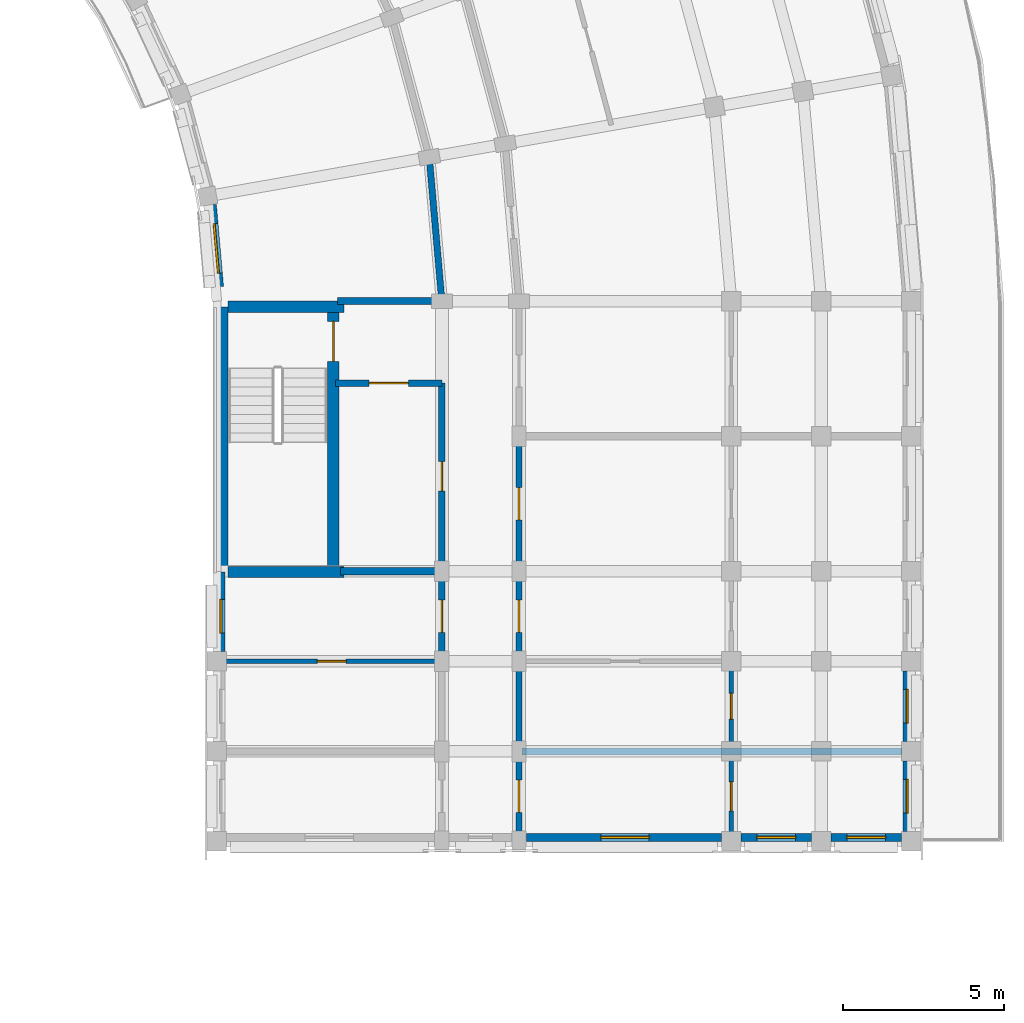
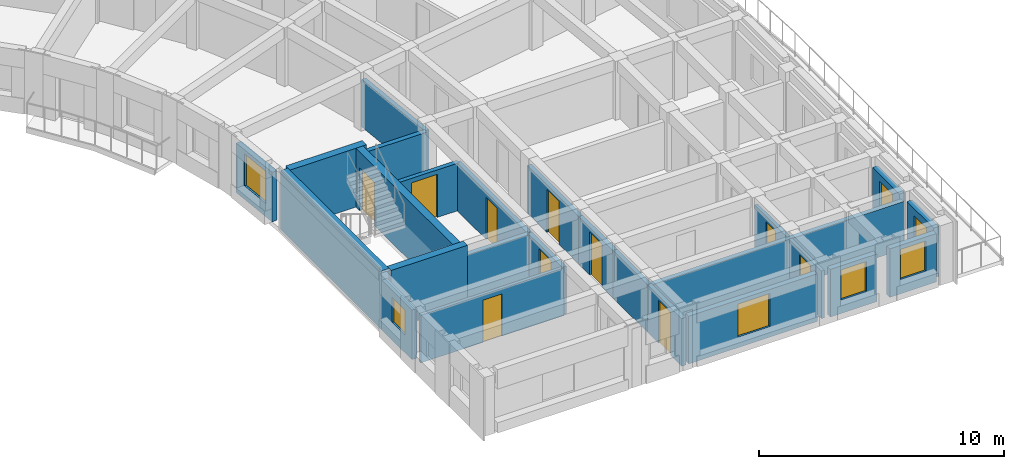
# One storey, part 25 of 41: 25 walls, 10 doors, 7 windows, 17 openings.
"""IFC4 building model written with IfcOpenShell, lengths in metres."""

from ifc_helpers import new_model, si_unit, direction, frame, frame_2d, origin, place, context, subcontext, project, spatial, rectangle, extrude, material, layer, layer_set, type_object, element, fill, save


model = new_model("IFC4")

# Units and contexts
model_context = context("Model", 3, precision=1e-05, world=origin(), true_north=direction((0.0, 1.0)))
body_context = subcontext(model_context, "Body", "Model", "MODEL_VIEW")
ifc_project = project(units=[si_unit("LENGTHUNIT", "METRE"), si_unit("AREAUNIT", "SQUARE_METRE"), si_unit("VOLUMEUNIT", "CUBIC_METRE"), si_unit("PLANEANGLEUNIT", "RADIAN"), si_unit("MASSUNIT", "GRAM", prefix="KILO")], contexts=[model_context])

# Site, building, storey
site_placement = place(None, origin())
site = spatial("IfcSite", under=ifc_project, at=site_placement, CompositionType="ELEMENT")
building_placement = place(site_placement, origin())
building = spatial("IfcBuilding", under=site, at=building_placement, Name="Kiranvali Square Residences", CompositionType="ELEMENT")
storey_placement = place(building_placement, frame((0.0, 0.0, 33.89990234375)))
storey = spatial("IfcBuildingStorey", under=building, at=storey_placement, Name="L10", CompositionType="ELEMENT", Elevation=33.89990234375)

# Wall, opening, door
ifc_material_1 = material(Name="Autoclaved aerated concrete blockwork masonry", Category="masonry")
ifc_layer_1 = layer(ifc_material_1, 0.199951171875)
ifc_layer_set_1 = layer_set([ifc_layer_1], Name="Autoclaved aerated concrete blockwork masonry")
wall_type_1 = type_object("IfcWallType", Name="WL-COR-200", PredefinedType="STANDARD", material=ifc_layer_set_1)
wall_1_placement = place(storey_placement, frame((142.300048828125, 85.25, 0.0), z_axis=(0.0, 0.0, 1.0), x_axis=(1.0, 0.0, 0.0)))
wall_1 = element("IfcWall", 1, at=wall_1_placement, inside=storey, type_object=wall_type_1, Name="L10 architectural wall WL-L10-B-S3-V", PredefinedType="STANDARD", context=body_context, shape_type="SweptSolid", body=[
    extrude(rectangle(XDim=3.300048828125, YDim=0.199951171875, at=frame_2d((1.64990234375, 0.0))), origin(), (0.0, 0.0, 1.0), 2.3720703125),
])
opening_1_placement = place(wall_1_placement, frame((1.0400390625, 0.0, 0.0)))
opening_1 = element("IfcOpeningElement", 2, at=opening_1_placement, cuts=wall_1, Name="Opening FD-COR-60", PredefinedType="OPENING", context=body_context, shape_type="SweptSolid", body=[
    extrude(rectangle(XDim=1.219970703125, YDim=2.14990234375, at=frame_2d((0.60986328125, 1.074951171875))), frame((0.0, 0.10986328125, 0.0), z_axis=(0.0, -1.0, 0.0), x_axis=(1.0, 0.0, 0.0)), (0.0, 0.0, 1.0), 0.219970703125),
])
ifc_material_2 = material(Name="Fire-rated acoustic hardwood and mineral-core door assembly", Category="wood")
door_type_1 = type_object("IfcDoorType", Name="DR-FD60-1200", OperationType="NOTDEFINED", PredefinedType="DOOR", material=ifc_material_2)
door_1_placement = place(opening_1_placement, frame((1.219970703125, 0.0, 0.0), z_axis=(0.0, 0.0, 1.0), x_axis=(-1.0, 0.0, 0.0)))
door_1 = element("IfcDoor", 3, at=door_1_placement, inside=storey, type_object=door_type_1, Name="L10 door DR-L10-1586 (DR-FD60-1200)", OperationType="SINGLE_SWING_RIGHT", OverallHeight=2.14990234375, OverallWidth=1.219970703125, PredefinedType="DOOR", context=body_context, shape_type="SweptSolid", body=[
    extrude(rectangle(XDim=1.219970703125, YDim=2.14990234375, at=frame_2d((0.60986328125, 1.074951171875))), frame((0.0, 0.02490234375, 0.0), z_axis=(0.0, -1.0, 0.0), x_axis=(1.0, 0.0, 0.0)), (0.0, 0.0, 1.0), 0.050048828125),
])
fill(opening_1, door_1)

wall_2_placement = place(storey_placement, frame((145.60009765625, 85.25, 0.0), z_axis=(0.0, 0.0, 1.0), x_axis=(0.0, -1.0, 0.0)))
wall_2 = element("IfcWall", 4, at=wall_2_placement, inside=storey, type_object=wall_type_1, Name="L10 architectural wall WL-L10-B-S3-COR", PredefinedType="STANDARD", context=body_context, shape_type="SweptSolid", body=[
    extrude(rectangle(XDim=5.800048828125, YDim=0.199951171875, at=frame_2d((2.89990234375, 0.0))), origin(), (0.0, 0.0, 1.0), 2.3720703125),
])
opening_2_placement = place(wall_2_placement, frame((2.43994140625, 0.0, 0.0)))
opening_2 = element("IfcOpeningElement", 5, at=opening_2_placement, cuts=wall_2, Name="Opening FD-SVC-120", PredefinedType="OPENING", context=body_context, shape_type="SweptSolid", body=[
    extrude(rectangle(XDim=0.919921875, YDim=2.10009765625, at=frame_2d((0.4599609375, 1.050048828125))), frame((0.0, 0.10986328125, 0.0), z_axis=(0.0, -1.0, 0.0), x_axis=(1.0, 0.0, 0.0)), (0.0, 0.0, 1.0), 0.219970703125),
])
door_type_2 = type_object("IfcDoorType", Name="DR-SVC-900", OperationType="NOTDEFINED", PredefinedType="DOOR", material=ifc_material_2)
door_2_placement = place(opening_2_placement, origin())
door_2 = element("IfcDoor", 6, at=door_2_placement, inside=storey, type_object=door_type_2, Name="L10 door DR-L10-1587 (DR-SVC-900)", OperationType="SINGLE_SWING_LEFT", OverallHeight=2.10009765625, OverallWidth=0.919921875, PredefinedType="DOOR", context=body_context, shape_type="SweptSolid", body=[
    extrude(rectangle(XDim=0.919921875, YDim=2.10009765625, at=frame_2d((0.4599609375, 1.050048828125))), frame((0.0, 0.02490234375, 0.0), z_axis=(0.0, -1.0, 0.0), x_axis=(1.0, 0.0, 0.0)), (0.0, 0.0, 1.0), 0.050048828125),
])
fill(opening_2, door_2)

# Wall
wall_3_placement = place(storey_placement, frame((145.2080078125, 92.280029296875, 0.0), z_axis=(0.0, 0.0, 1.0), x_axis=(0.087187153726, -0.996191949488, 0.0)))
element("IfcWall", 7, at=wall_3_placement, inside=storey, type_object=wall_type_1, Name="L10 architectural wall WL-L10-B-CCI-8", PredefinedType="STANDARD", context=body_context, shape_type="SweptSolid", body=[
    extrude(rectangle(XDim=4.4970703125, YDim=0.199951171875, at=frame_2d((2.24853515625, 0.0))), origin(), (0.0, 0.0, 1.0), 2.3720703125),
])

# Wall, opening, door
wall_4_placement = place(storey_placement, frame((148.0, 83.60009765625, 0.0), z_axis=(0.0, 0.0, 1.0), x_axis=(0.0, -1.0, 0.0)))
wall_4 = element("IfcWall", 8, at=wall_4_placement, inside=storey, type_object=wall_type_1, Name="L10 architectural wall WL-L10-B-A2CF-C1", PredefinedType="STANDARD", context=body_context, shape_type="SweptSolid", body=[
    extrude(rectangle(XDim=4.2001953125, YDim=0.199951171875, at=frame_2d((2.10009765625, 0.0))), origin(), (0.0, 0.0, 1.0), 2.3720703125),
])
opening_3_placement = place(wall_4_placement, frame((1.60009765625, 0.0, 0.0)))
opening_3 = element("IfcOpeningElement", 9, at=opening_3_placement, cuts=wall_4, Name="Opening FD-APT-60", PredefinedType="OPENING", context=body_context, shape_type="SweptSolid", body=[
    extrude(rectangle(XDim=1.0, YDim=2.14990234375, at=frame_2d((0.5, 1.074951171875))), frame((0.0, 0.10986328125, 0.0), z_axis=(0.0, -1.0, 0.0), x_axis=(1.0, 0.0, 0.0)), (0.0, 0.0, 1.0), 0.219970703125),
])
door_type_3 = type_object("IfcDoorType", Name="DR-APT-1000", OperationType="NOTDEFINED", PredefinedType="DOOR", material=ifc_material_2)
door_3_placement = place(opening_3_placement, frame((1.0, 0.0, 0.0), z_axis=(0.0, 0.0, 1.0), x_axis=(-1.0, 0.0, 0.0)))
door_3 = element("IfcDoor", 10, at=door_3_placement, inside=storey, type_object=door_type_3, Name="L10 door DR-L10-1622 (DR-APT-1000)", OperationType="SINGLE_SWING_RIGHT", OverallHeight=2.14990234375, OverallWidth=1.0, PredefinedType="DOOR", context=body_context, shape_type="SweptSolid", body=[
    extrude(rectangle(XDim=1.0, YDim=2.14990234375, at=frame_2d((0.5, 1.074951171875))), frame((0.0, 0.02490234375, 0.0), z_axis=(0.0, -1.0, 0.0), x_axis=(1.0, 0.0, 0.0)), (0.0, 0.0, 1.0), 0.050048828125),
])
fill(opening_3, door_3)

wall_5_placement = place(storey_placement, frame((145.60009765625, 79.39990234375, 0.0), z_axis=(0.0, 0.0, 1.0), x_axis=(0.0, -1.0, 0.0)))
wall_5 = element("IfcWall", 11, at=wall_5_placement, inside=storey, type_object=wall_type_1, Name="L10 architectural wall WL-L10-B-A2CI-0", PredefinedType="STANDARD", context=body_context, shape_type="SweptSolid", body=[
    extrude(rectangle(XDim=2.7998046875, YDim=0.199951171875, at=frame_2d((1.39990234375, 0.0))), origin(), (0.0, 0.0, 1.0), 2.3720703125),
])
opening_4_placement = place(wall_5_placement, frame((0.89990234375, 0.0, 0.0)))
opening_4 = element("IfcOpeningElement", 12, at=opening_4_placement, cuts=wall_5, Name="Opening FD-APT-60", PredefinedType="OPENING", context=body_context, shape_type="SweptSolid", body=[
    extrude(rectangle(XDim=1.0, YDim=2.14990234375, at=frame_2d((0.5, 1.074951171875))), frame((0.0, 0.10986328125, 0.0), z_axis=(0.0, -1.0, 0.0), x_axis=(1.0, 0.0, 0.0)), (0.0, 0.0, 1.0), 0.219970703125),
])
door_4_placement = place(opening_4_placement, frame((1.0, 0.0, 0.0), z_axis=(0.0, 0.0, 1.0), x_axis=(-1.0, 0.0, 0.0)))
door_4 = element("IfcDoor", 13, at=door_4_placement, inside=storey, type_object=door_type_3, Name="L10 door DR-L10-1624 (DR-APT-1000)", OperationType="SINGLE_SWING_RIGHT", OverallHeight=2.14990234375, OverallWidth=1.0, PredefinedType="DOOR", context=body_context, shape_type="SweptSolid", body=[
    extrude(rectangle(XDim=1.0, YDim=2.14990234375, at=frame_2d((0.5, 1.074951171875))), frame((0.0, 0.02490234375, 0.0), z_axis=(0.0, -1.0, 0.0), x_axis=(1.0, 0.0, 0.0)), (0.0, 0.0, 1.0), 0.050048828125),
])
fill(opening_4, door_4)

wall_6_placement = place(storey_placement, frame((148.0, 79.39990234375, 0.0), z_axis=(0.0, 0.0, 1.0), x_axis=(0.0, -1.0, 0.0)))
wall_6 = element("IfcWall", 14, at=wall_6_placement, inside=storey, type_object=wall_type_1, Name="L10 architectural wall WL-L10-B-A2CO-0", PredefinedType="STANDARD", context=body_context, shape_type="SweptSolid", body=[
    extrude(rectangle(XDim=2.7998046875, YDim=0.199951171875, at=frame_2d((1.39990234375, 0.0))), origin(), (0.0, 0.0, 1.0), 2.3720703125),
])
opening_5_placement = place(wall_6_placement, frame((0.89990234375, 0.0, 0.0)))
opening_5 = element("IfcOpeningElement", 15, at=opening_5_placement, cuts=wall_6, Name="Opening FD-APT-60", PredefinedType="OPENING", context=body_context, shape_type="SweptSolid", body=[
    extrude(rectangle(XDim=1.0, YDim=2.14990234375, at=frame_2d((0.5, 1.074951171875))), frame((0.0, 0.10986328125, 0.0), z_axis=(0.0, -1.0, 0.0), x_axis=(1.0, 0.0, 0.0)), (0.0, 0.0, 1.0), 0.219970703125),
])
door_5_placement = place(opening_5_placement, frame((1.0, 0.0, 0.0), z_axis=(0.0, 0.0, 1.0), x_axis=(-1.0, 0.0, 0.0)))
door_5 = element("IfcDoor", 16, at=door_5_placement, inside=storey, type_object=door_type_3, Name="L10 door DR-L10-1626 (DR-APT-1000)", OperationType="SINGLE_SWING_RIGHT", OverallHeight=2.14990234375, OverallWidth=1.0, PredefinedType="DOOR", context=body_context, shape_type="SweptSolid", body=[
    extrude(rectangle(XDim=1.0, YDim=2.14990234375, at=frame_2d((0.5, 1.074951171875))), frame((0.0, 0.02490234375, 0.0), z_axis=(0.0, -1.0, 0.0), x_axis=(1.0, 0.0, 0.0)), (0.0, 0.0, 1.0), 0.050048828125),
])
fill(opening_5, door_5)

# Wall
wall_7_placement = place(storey_placement, frame((148.0, 76.60009765625, 0.0), z_axis=(0.0, 0.0, 1.0), x_axis=(0.0, -1.0, 0.0)))
element("IfcWall", 17, at=wall_7_placement, inside=storey, type_object=wall_type_1, Name="L10 architectural wall WL-L10-B-A2CO-1", PredefinedType="STANDARD", context=body_context, shape_type="SweptSolid", body=[
    extrude(rectangle(XDim=2.800048828125, YDim=0.199951171875, at=frame_2d((1.39990234375, 0.0))), origin(), (0.0, 0.0, 1.0), 2.3720703125),
])

# Wall, opening, door
wall_8_placement = place(storey_placement, frame((148.0, 73.800048828125, 0.0), z_axis=(0.0, 0.0, 1.0), x_axis=(0.0, -1.0, 0.0)))
wall_8 = element("IfcWall", 18, at=wall_8_placement, inside=storey, type_object=wall_type_1, Name="L10 architectural wall WL-L10-B-A2CO-2", PredefinedType="STANDARD", context=body_context, shape_type="SweptSolid", body=[
    extrude(rectangle(XDim=2.800048828125, YDim=0.199951171875, at=frame_2d((1.39990234375, 0.0))), origin(), (0.0, 0.0, 1.0), 2.3720703125),
])
opening_6_placement = place(wall_8_placement, frame((0.89990234375, 0.0, 0.0)))
opening_6 = element("IfcOpeningElement", 19, at=opening_6_placement, cuts=wall_8, Name="Opening FD-APT-60", PredefinedType="OPENING", context=body_context, shape_type="SweptSolid", body=[
    extrude(rectangle(XDim=1.0, YDim=2.14990234375, at=frame_2d((0.5, 1.074951171875))), frame((0.0, 0.10986328125, 0.0), z_axis=(0.0, -1.0, 0.0), x_axis=(1.0, 0.0, 0.0)), (0.0, 0.0, 1.0), 0.219970703125),
])
door_6_placement = place(opening_6_placement, frame((1.0, 0.0, 0.0), z_axis=(0.0, 0.0, 1.0), x_axis=(-1.0, 0.0, 0.0)))
door_6 = element("IfcDoor", 20, at=door_6_placement, inside=storey, type_object=door_type_3, Name="L10 door DR-L10-1632 (DR-APT-1000)", OperationType="SINGLE_SWING_RIGHT", OverallHeight=2.14990234375, OverallWidth=1.0, PredefinedType="DOOR", context=body_context, shape_type="SweptSolid", body=[
    extrude(rectangle(XDim=1.0, YDim=2.14990234375, at=frame_2d((0.5, 1.074951171875))), frame((0.0, 0.02490234375, 0.0), z_axis=(0.0, -1.0, 0.0), x_axis=(1.0, 0.0, 0.0)), (0.0, 0.0, 1.0), 0.050048828125),
])
fill(opening_6, door_6)

# Walls
ifc_layer_2 = layer(ifc_material_1, 0.219970703125)
ifc_layer_set_2 = layer_set([ifc_layer_2], Name="Autoclaved aerated concrete blockwork masonry")
wall_type_2 = type_object("IfcWallType", Name="WL-DEM-220", PredefinedType="STANDARD", material=ifc_layer_set_2)
wall_9_placement = place(storey_placement, frame((142.35009765625, 87.800048828125, 0.0), z_axis=(0.0, 0.0, 1.0), x_axis=(1.0, 0.0, 0.0)))
element("IfcWall", 21, at=wall_9_placement, inside=storey, type_object=wall_type_2, Name="L10 architectural wall WL-L10-B-RADI-9", PredefinedType="STANDARD", context=body_context, shape_type="SweptSolid", body=[
    extrude(rectangle(XDim=3.199951171875, YDim=0.219970703125, at=frame_2d((1.60009765625, 0.0))), origin(), (0.0, 0.0, 1.0), 2.3720703125),
])
wall_10_placement = place(storey_placement, frame((142.449951171875, 79.39990234375, 0.0), z_axis=(0.0, 0.0, 1.0), x_axis=(1.0, 0.0, 0.0)))
element("IfcWall", 22, at=wall_10_placement, inside=storey, type_object=wall_type_2, Name="L10 architectural wall WL-L10-B-A2TI-0", PredefinedType="STANDARD", context=body_context, shape_type="SweptSolid", body=[
    extrude(rectangle(XDim=3.10009765625, YDim=0.219970703125, at=frame_2d((1.550048828125, 0.0))), origin(), (0.0, 0.0, 1.0), 2.3720703125),
])
wall_11_placement = place(storey_placement, frame((148.10009765625, 73.800048828125, 0.0), z_axis=(0.0, 0.0, 1.0), x_axis=(1.0, 0.0, 0.0)))
element("IfcWall", 23, at=wall_11_placement, inside=storey, type_object=wall_type_2, Name="L10 architectural wall WL-L10-B-A2TO-2", PredefinedType="STANDARD", context=body_context, shape_type="SweptSolid", body=[
    extrude(rectangle(XDim=11.81982421875, YDim=0.219970703125, at=frame_2d((5.909912109375, 0.0))), origin(), (0.0, 0.0, 1.0), 2.3720703125),
])

# Wall, opening, window
ifc_material_3 = material(Name="Breathable lime-rendered clay brick masonry", Category="masonry")
ifc_layer_3 = layer(ifc_material_3, 0.25)
ifc_layer_set_3 = layer_set([ifc_layer_3], Name="Breathable lime-rendered clay brick masonry")
wall_type_3 = type_object("IfcWallType", Name="WL-EXT-250", PredefinedType="STANDARD", material=ifc_layer_set_3)
wall_12_placement = place(storey_placement, frame((138.463134765625, 90.7978515625, 0.0), z_axis=(0.0, 0.0, 1.0), x_axis=(0.087222589008, -0.996188847542, 0.0)))
wall_12 = element("IfcWall", 24, at=wall_12_placement, inside=storey, type_object=wall_type_3, Name="L10 exterior wall B-L10-GDN-08", PredefinedType="STANDARD", context=body_context, shape_type="SweptSolid", body=[
    extrude(rectangle(XDim=2.558349609375, YDim=0.25, at=frame_2d((1.279296875, 0.0))), origin(), (0.0, 0.0, 1.0), 2.47216796875),
])
opening_7_placement = place(wall_12_placement, frame((0.5849609375, 0.0, 0.672119140625)))
opening_7 = element("IfcOpeningElement", 25, at=opening_7_placement, cuts=wall_12, Name="Opening W-18", PredefinedType="OPENING", context=body_context, shape_type="SweptSolid", body=[
    extrude(rectangle(XDim=1.550048828125, YDim=1.60009765625, at=frame_2d((0.77490234375, 0.800048828125))), frame((0.0, 0.135009765625, 0.0), z_axis=(0.0, -1.0, 0.0), x_axis=(1.0, 0.0, 0.0)), (0.0, 0.0, 1.0), 0.27001953125),
])
ifc_material_4 = material(Name="Solar-control low-e double glazing", Category="glass")
window_type_1 = type_object("IfcWindowType", Name="WIN-GDN-1550x1600", PartitioningType="DOUBLE_PANEL_VERTICAL", PredefinedType="WINDOW", material=ifc_material_4)
window_1_placement = place(opening_7_placement, origin())
window_1 = element("IfcWindow", 26, at=window_1_placement, inside=storey, type_object=window_type_1, Name="L10 recessed window B-L10-GDN-08", OverallHeight=1.60009765625, OverallWidth=1.550048828125, PartitioningType="DOUBLE_PANEL_VERTICAL", PredefinedType="WINDOW", context=body_context, shape_type="SweptSolid", body=[
    extrude(rectangle(XDim=1.550048828125, YDim=1.60009765625, at=frame_2d((0.77490234375, 0.800048828125))), frame((0.0, 0.030029296875, 0.0), z_axis=(0.0, -1.0, 0.0), x_axis=(1.0, 0.0, 0.0)), (0.0, 0.0, 1.0), 0.06005859375),
])
fill(opening_7, window_1)

wall_13_placement = place(storey_placement, frame((160.074951171875, 76.29638671875, 0.0), z_axis=(0.0, 0.0, 1.0), x_axis=(0.0, -1.0, 0.0)))
wall_13 = element("IfcWall", 27, at=wall_13_placement, inside=storey, type_object=wall_type_3, Name="L10 exterior wall B-L10-A2O-3", PredefinedType="STANDARD", context=body_context, shape_type="SweptSolid", body=[
    extrude(rectangle(XDim=2.19287109375, YDim=0.25, at=frame_2d((1.096435546875, 0.0))), origin(), (0.0, 0.0, 1.0), 2.47998046875),
])
opening_8_placement = place(wall_13_placement, frame((0.571533203125, 0.0, 0.8798828125)))
opening_8 = element("IfcOpeningElement", 28, at=opening_8_placement, cuts=wall_13, Name="Opening W-24", PredefinedType="OPENING", context=body_context, shape_type="SweptSolid", body=[
    extrude(rectangle(XDim=1.050048828125, YDim=1.25, at=frame_2d((0.52490234375, 0.625))), frame((0.0, 0.135009765625, 0.0), z_axis=(0.0, -1.0, 0.0), x_axis=(1.0, 0.0, 0.0)), (0.0, 0.0, 1.0), 0.27001953125),
])
window_type_2 = type_object("IfcWindowType", Name="WIN-COR-1050x1250", PartitioningType="SINGLE_PANEL", PredefinedType="WINDOW", material=ifc_material_4)
window_2_placement = place(opening_8_placement, origin())
window_2 = element("IfcWindow", 29, at=window_2_placement, inside=storey, type_object=window_type_2, Name="L10 recessed window B-L10-A2O-3", OverallHeight=1.25, OverallWidth=1.050048828125, PartitioningType="SINGLE_PANEL", PredefinedType="WINDOW", context=body_context, shape_type="SweptSolid", body=[
    extrude(rectangle(XDim=1.050048828125, YDim=1.25, at=frame_2d((0.52490234375, 0.625))), frame((0.0, 0.030029296875, 0.0), z_axis=(0.0, -1.0, 0.0), x_axis=(1.0, 0.0, 0.0)), (0.0, 0.0, 1.0), 0.06005859375),
])
fill(opening_8, window_2)

wall_14_placement = place(storey_placement, frame((160.074951171875, 73.49658203125, 0.0), z_axis=(0.0, 0.0, 1.0), x_axis=(0.0, -1.0, 0.0)))
wall_14 = element("IfcWall", 30, at=wall_14_placement, inside=storey, type_object=wall_type_3, Name="L10 exterior wall B-L10-A2O-4", PredefinedType="STANDARD", context=body_context, shape_type="SweptSolid", body=[
    extrude(rectangle(XDim=2.193115234375, YDim=0.25, at=frame_2d((1.0966796875, 0.0))), origin(), (0.0, 0.0, 1.0), 2.47998046875),
])
opening_9_placement = place(wall_14_placement, frame((0.571533203125, 0.0, 0.8798828125)))
opening_9 = element("IfcOpeningElement", 31, at=opening_9_placement, cuts=wall_14, Name="Opening W-24", PredefinedType="OPENING", context=body_context, shape_type="SweptSolid", body=[
    extrude(rectangle(XDim=1.050048828125, YDim=1.25, at=frame_2d((0.52490234375, 0.625))), frame((0.0, 0.135009765625, 0.0), z_axis=(0.0, -1.0, 0.0), x_axis=(1.0, 0.0, 0.0)), (0.0, 0.0, 1.0), 0.27001953125),
])
window_3_placement = place(opening_9_placement, origin())
window_3 = element("IfcWindow", 32, at=window_3_placement, inside=storey, type_object=window_type_2, Name="L10 recessed window B-L10-A2O-4", OverallHeight=1.25, OverallWidth=1.050048828125, PartitioningType="SINGLE_PANEL", PredefinedType="WINDOW", context=body_context, shape_type="SweptSolid", body=[
    extrude(rectangle(XDim=1.050048828125, YDim=1.25, at=frame_2d((0.52490234375, 0.625))), frame((0.0, 0.030029296875, 0.0), z_axis=(0.0, -1.0, 0.0), x_axis=(1.0, 0.0, 0.0)), (0.0, 0.0, 1.0), 0.06005859375),
])
fill(opening_9, window_3)

wall_15_placement = place(storey_placement, frame((138.72509765625, 79.37158203125, 0.0), z_axis=(0.0, 0.0, 1.0), x_axis=(0.0, -1.0, 0.0)))
wall_15 = element("IfcWall", 33, at=wall_15_placement, inside=storey, type_object=wall_type_3, Name="L10 exterior wall B-L10-A2I-0", PredefinedType="STANDARD", context=body_context, shape_type="SweptSolid", body=[
    extrude(rectangle(XDim=2.468017578125, YDim=0.25, at=frame_2d((1.23388671875, 0.0))), origin(), (0.0, 0.0, 1.0), 2.47216796875),
])
opening_10_placement = place(wall_15_placement, frame((0.846435546875, 0.0, 0.8798828125)))
opening_10 = element("IfcOpeningElement", 34, at=opening_10_placement, cuts=wall_15, Name="Opening W-24", PredefinedType="OPENING", context=body_context, shape_type="SweptSolid", body=[
    extrude(rectangle(XDim=1.050048828125, YDim=1.25, at=frame_2d((0.52490234375, 0.625))), frame((0.0, 0.135009765625, 0.0), z_axis=(0.0, -1.0, 0.0), x_axis=(1.0, 0.0, 0.0)), (0.0, 0.0, 1.0), 0.27001953125),
])
window_4_placement = place(opening_10_placement, origin())
window_4 = element("IfcWindow", 35, at=window_4_placement, inside=storey, type_object=window_type_2, Name="L10 recessed window B-L10-A2I-0", OverallHeight=1.25, OverallWidth=1.050048828125, PartitioningType="SINGLE_PANEL", PredefinedType="WINDOW", context=body_context, shape_type="SweptSolid", body=[
    extrude(rectangle(XDim=1.050048828125, YDim=1.25, at=frame_2d((0.52490234375, 0.625))), frame((0.0, 0.030029296875, 0.0), z_axis=(0.0, -1.0, 0.0), x_axis=(1.0, 0.0, 0.0)), (0.0, 0.0, 1.0), 0.06005859375),
])
fill(opening_10, window_4)

wall_16_placement = place(storey_placement, frame((148.228515625, 71.125, 0.0), z_axis=(0.0, 0.0, 1.0), x_axis=(1.0, 0.0, 0.0)))
wall_16 = element("IfcWall", 36, at=wall_16_placement, inside=storey, type_object=wall_type_3, Name="L10 exterior wall B-L10-A2END-2", PredefinedType="STANDARD", context=body_context, shape_type="SweptSolid", body=[
    extrude(rectangle(XDim=6.06787109375, YDim=0.25, at=frame_2d((3.033935546875, 0.0))), origin(), (0.0, 0.0, 1.0), 2.3720703125),
])
opening_11_placement = place(wall_16_placement, frame((2.321533203125, 0.0, 0.52197265625)))
opening_11 = element("IfcOpeningElement", 37, at=opening_11_placement, cuts=wall_16, Name="Opening W-05", PredefinedType="OPENING", context=body_context, shape_type="SweptSolid", body=[
    extrude(rectangle(XDim=1.5, YDim=1.64990234375, at=frame_2d((0.75, 0.824951171875))), frame((0.0, 0.135009765625, 0.0), z_axis=(0.0, -1.0, 0.0), x_axis=(1.0, 0.0, 0.0)), (0.0, 0.0, 1.0), 0.27001953125),
])
window_type_3 = type_object("IfcWindowType", Name="WIN-RES-1500x1650", PartitioningType="DOUBLE_PANEL_VERTICAL", PredefinedType="WINDOW", material=ifc_material_4)
window_5_placement = place(opening_11_placement, origin())
window_5 = element("IfcWindow", 38, at=window_5_placement, inside=storey, type_object=window_type_3, Name="L10 recessed window B-L10-A2END-2", OverallHeight=1.64990234375, OverallWidth=1.5, PartitioningType="DOUBLE_PANEL_VERTICAL", PredefinedType="WINDOW", context=body_context, shape_type="SweptSolid", body=[
    extrude(rectangle(XDim=1.5, YDim=1.64990234375, at=frame_2d((0.75, 0.824951171875))), frame((0.0, 0.030029296875, 0.0), z_axis=(0.0, -1.0, 0.0), x_axis=(1.0, 0.0, 0.0)), (0.0, 0.0, 1.0), 0.06005859375),
])
fill(opening_11, window_5)

wall_17_placement = place(storey_placement, frame((154.903564453125, 71.125, 0.0), z_axis=(0.0, 0.0, 1.0), x_axis=(1.0, 0.0, 0.0)))
wall_17 = element("IfcWall", 39, at=wall_17_placement, inside=storey, type_object=wall_type_3, Name="L10 exterior wall B-L10-A2END-3", PredefinedType="STANDARD", context=body_context, shape_type="SweptSolid", body=[
    extrude(rectangle(XDim=2.19287109375, YDim=0.25, at=frame_2d((1.096435546875, 0.0))), origin(), (0.0, 0.0, 1.0), 2.3720703125),
])
opening_12_placement = place(wall_17_placement, frame((0.49658203125, 0.0, 0.672119140625)))
opening_12 = element("IfcOpeningElement", 40, at=opening_12_placement, cuts=wall_17, Name="Opening W-06", PredefinedType="OPENING", context=body_context, shape_type="SweptSolid", body=[
    extrude(rectangle(XDim=1.199951171875, YDim=1.5, at=frame_2d((0.60009765625, 0.75))), frame((0.0, 0.135009765625, 0.0), z_axis=(0.0, -1.0, 0.0), x_axis=(1.0, 0.0, 0.0)), (0.0, 0.0, 1.0), 0.27001953125),
])
window_type_4 = type_object("IfcWindowType", Name="WIN-RES-1200x1500", PartitioningType="SINGLE_PANEL", PredefinedType="WINDOW", material=ifc_material_4)
window_6_placement = place(opening_12_placement, origin())
window_6 = element("IfcWindow", 41, at=window_6_placement, inside=storey, type_object=window_type_4, Name="L10 recessed window B-L10-A2END-3", OverallHeight=1.5, OverallWidth=1.199951171875, PartitioningType="SINGLE_PANEL", PredefinedType="WINDOW", context=body_context, shape_type="SweptSolid", body=[
    extrude(rectangle(XDim=1.199951171875, YDim=1.5, at=frame_2d((0.60009765625, 0.75))), frame((0.0, 0.030029296875, 0.0), z_axis=(0.0, -1.0, 0.0), x_axis=(1.0, 0.0, 0.0)), (0.0, 0.0, 1.0), 0.06005859375),
])
fill(opening_12, window_6)

wall_18_placement = place(storey_placement, frame((157.70361328125, 71.125, 0.0), z_axis=(0.0, 0.0, 1.0), x_axis=(1.0, 0.0, 0.0)))
wall_18 = element("IfcWall", 42, at=wall_18_placement, inside=storey, type_object=wall_type_3, Name="L10 exterior wall B-L10-A2END-4", PredefinedType="STANDARD", context=body_context, shape_type="SweptSolid", body=[
    extrude(rectangle(XDim=2.19287109375, YDim=0.25, at=frame_2d((1.096435546875, 0.0))), origin(), (0.0, 0.0, 1.0), 2.412109375),
])
opening_13_placement = place(wall_18_placement, frame((0.49658203125, 0.0, 0.7119140625)))
opening_13 = element("IfcOpeningElement", 43, at=opening_13_placement, cuts=wall_18, Name="Opening W-06", PredefinedType="OPENING", context=body_context, shape_type="SweptSolid", body=[
    extrude(rectangle(XDim=1.199951171875, YDim=1.5, at=frame_2d((0.60009765625, 0.75))), frame((0.0, 0.135009765625, 0.0), z_axis=(0.0, -1.0, 0.0), x_axis=(1.0, 0.0, 0.0)), (0.0, 0.0, 1.0), 0.27001953125),
])
window_7_placement = place(opening_13_placement, origin())
window_7 = element("IfcWindow", 44, at=window_7_placement, inside=storey, type_object=window_type_4, Name="L10 recessed window B-L10-A2END-4", OverallHeight=1.5, OverallWidth=1.199951171875, PartitioningType="SINGLE_PANEL", PredefinedType="WINDOW", context=body_context, shape_type="SweptSolid", body=[
    extrude(rectangle(XDim=1.199951171875, YDim=1.5, at=frame_2d((0.60009765625, 0.75))), frame((0.0, 0.030029296875, 0.0), z_axis=(0.0, -1.0, 0.0), x_axis=(1.0, 0.0, 0.0)), (0.0, 0.0, 1.0), 0.06005859375),
])
fill(opening_13, window_7)

# Wall, opening, door
ifc_material_5 = material(Name="Acoustic gypsum board drylined partition", Category="gypsum")
ifc_layer_4 = layer(ifc_material_5, 0.14990234375)
ifc_layer_set_4 = layer_set([ifc_layer_4], Name="Acoustic gypsum board drylined partition")
wall_type_4 = type_object("IfcWallType", Name="WL-PRT-150", PredefinedType="PARTITIONING", material=ifc_layer_set_4)
wall_19_placement = place(storey_placement, frame((138.800048828125, 76.60009765625, 0.0), z_axis=(0.0, 0.0, 1.0), x_axis=(1.0, 0.0, 0.0)))
wall_19 = element("IfcWall", 45, at=wall_19_placement, inside=storey, type_object=wall_type_4, Name="L10 architectural wall WL-L10-B-A2TI-1", PredefinedType="PARTITIONING", context=body_context, shape_type="SweptSolid", body=[
    extrude(rectangle(XDim=6.75, YDim=0.14990234375, at=frame_2d((3.375, 0.0))), origin(), (0.0, 0.0, 1.0), 2.3720703125),
])
opening_14_placement = place(wall_19_placement, frame((2.925048828125, 0.0, 0.0)))
opening_14 = element("IfcOpeningElement", 46, at=opening_14_placement, cuts=wall_19, Name="Opening ID-1", PredefinedType="OPENING", context=body_context, shape_type="SweptSolid", body=[
    extrude(rectangle(XDim=0.89990234375, YDim=2.10009765625, at=frame_2d((0.449951171875, 1.050048828125))), frame((0.0, 0.0849609375, 0.0), z_axis=(0.0, -1.0, 0.0), x_axis=(1.0, 0.0, 0.0)), (0.0, 0.0, 1.0), 0.169921875),
])
ifc_material_6 = material(Name="Solid seasoned teak hardwood joinery", Category="wood")
door_type_4 = type_object("IfcDoorType", Name="DR-INT-900", OperationType="NOTDEFINED", PredefinedType="DOOR", material=ifc_material_6)
door_7_placement = place(opening_14_placement, frame((0.89990234375, 0.0, 0.0), z_axis=(0.0, 0.0, 1.0), x_axis=(-1.0, 0.0, 0.0)))
door_7 = element("IfcDoor", 47, at=door_7_placement, inside=storey, type_object=door_type_4, Name="L10 door DR-L10-1628 (DR-INT-900)", OperationType="SINGLE_SWING_RIGHT", OverallHeight=2.10009765625, OverallWidth=0.89990234375, PredefinedType="DOOR", context=body_context, shape_type="SweptSolid", body=[
    extrude(rectangle(XDim=0.89990234375, YDim=2.10009765625, at=frame_2d((0.449951171875, 1.050048828125))), frame((0.0, 0.02490234375, 0.0), z_axis=(0.0, -1.0, 0.0), x_axis=(1.0, 0.0, 0.0)), (0.0, 0.0, 1.0), 0.050048828125),
])
fill(opening_14, door_7)

# Wall
ifc_material_7 = material(Name="Concrete M45 (45 MPa)", Category="concrete")
ifc_layer_5 = layer(ifc_material_7, 0.320068359375)
ifc_layer_set_5 = layer_set([ifc_layer_5], Name="Concrete M45 (45 MPa)")
wall_type_5 = type_object("IfcWallType", Name="WL-SHR-320", PredefinedType="SHEAR", material=ifc_layer_set_5)
wall_20_placement = place(storey_placement, frame((138.77490234375, 87.625, 0.0), z_axis=(0.0, 0.0, 1.0), x_axis=(0.0, -1.0, 0.0)))
element("IfcWall", 48, at=wall_20_placement, inside=storey, type_object=wall_type_5, Name="Block B core shear wall SW-B3-OUT-L10", PredefinedType="SHEAR", context=body_context, shape_type="SweptSolid", body=[
    extrude(rectangle(XDim=8.25, YDim=0.35009765625, at=frame_2d((4.125, 0.0))), origin(), (0.0, 0.0, 1.0), 2.93017578125),
])

# Wall, opening, door
wall_21_placement = place(storey_placement, frame((142.22509765625, 87.449951171875, 0.0), z_axis=(0.0, 0.0, 1.0), x_axis=(0.0, -1.0, 0.0)))
wall_21 = element("IfcWall", 49, at=wall_21_placement, inside=storey, type_object=wall_type_5, Name="Block B core shear wall SW-B3-IN-L10", PredefinedType="SHEAR", context=body_context, shape_type="SweptSolid", body=[
    extrude(rectangle(XDim=7.89990234375, YDim=0.35009765625, at=frame_2d((3.949951171875, 0.0))), origin(), (0.0, 0.0, 1.0), 2.93017578125),
])
opening_15_placement = place(wall_21_placement, frame((0.280029296875, 0.0, 0.0)))
opening_15 = element("IfcOpeningElement", 50, at=opening_15_placement, cuts=wall_21, Name="Opening FD-ST-120", PredefinedType="OPENING", context=body_context, shape_type="SweptSolid", body=[
    extrude(rectangle(XDim=1.239990234375, YDim=2.14990234375, at=frame_2d((0.6201171875, 1.074951171875))), frame((0.0, 0.18505859375, 0.0), z_axis=(0.0, -1.0, 0.0), x_axis=(1.0, 0.0, 0.0)), (0.0, 0.0, 1.0), 0.3701171875),
])
door_type_5 = type_object("IfcDoorType", Name="DR-FD120-1200", OperationType="NOTDEFINED", PredefinedType="DOOR", material=ifc_material_2)
door_8_placement = place(opening_15_placement, frame((1.239990234375, 0.0, 0.0), z_axis=(0.0, 0.0, 1.0), x_axis=(-1.0, 0.0, 0.0)))
door_8 = element("IfcDoor", 51, at=door_8_placement, inside=storey, type_object=door_type_5, Name="L10 door DR-L10-1582 (DR-FD120-1200)", OperationType="SINGLE_SWING_RIGHT", OverallHeight=2.14990234375, OverallWidth=1.239990234375, PredefinedType="DOOR", context=body_context, shape_type="SweptSolid", body=[
    extrude(rectangle(XDim=1.239990234375, YDim=2.14990234375, at=frame_2d((0.6201171875, 1.074951171875))), frame((0.0, 0.02490234375, 0.0), z_axis=(0.0, -1.0, 0.0), x_axis=(1.0, 0.0, 0.0)), (0.0, 0.0, 1.0), 0.050048828125),
])
fill(opening_15, door_8)

# Walls
for number, where, z_axis, x_axis, name in (
    (52, (138.949951171875, 87.625, 0.0), (0.0, 0.0, 1.0), (1.0, 0.0, 0.0), "Block B core shear wall SW-B3-NEAR-L10"),
    (53, (138.949951171875, 79.375, 0.0), (0.0, 0.0, 1.0), (1.0, 0.0, 0.0), "Block B core shear wall SW-B3-FAR-L10"),
):
    element("IfcWall", number, at=place(storey_placement, frame(where, z_axis=z_axis, x_axis=x_axis)), inside=storey, type_object=wall_type_5, Name=name, PredefinedType="SHEAR", context=body_context, shape_type="SweptSolid", body=[
        extrude(rectangle(XDim=3.60009765625, YDim=0.35009765625, at=frame_2d((1.800048828125, 0.0))), origin(), (0.0, 0.0, 1.0), 2.93017578125),
    ])

# Wall, opening, door
ifc_layer_6 = layer(ifc_material_1, 0.14990234375)
ifc_layer_set_6 = layer_set([ifc_layer_6], Name="Autoclaved aerated concrete blockwork masonry")
wall_type_6 = type_object("IfcWallType", Name="WL-WET-150", PredefinedType="PLUMBINGWALL", material=ifc_layer_set_6)
wall_22_placement = place(storey_placement, frame((154.60009765625, 76.52001953125, 0.0), z_axis=(0.0, 0.0, 1.0), x_axis=(0.0, -1.0, 0.0)))
wall_22 = element("IfcWall", 54, at=wall_22_placement, inside=storey, type_object=wall_type_6, Name="L10 architectural wall WL-L10-B-A2SP-1", PredefinedType="PLUMBINGWALL", context=body_context, shape_type="SweptSolid", body=[
    extrude(rectangle(XDim=2.64013671875, YDim=0.14990234375, at=frame_2d((1.320068359375, 0.0))), origin(), (0.0, 0.0, 1.0), 2.3720703125),
])
opening_16_placement = place(wall_22_placement, frame((0.919921875, 0.0, 0.0)))
opening_16 = element("IfcOpeningElement", 55, at=opening_16_placement, cuts=wall_22, Name="Opening ID-WET", PredefinedType="OPENING", context=body_context, shape_type="SweptSolid", body=[
    extrude(rectangle(XDim=0.800048828125, YDim=2.10009765625, at=frame_2d((0.39990234375, 1.050048828125))), frame((0.0, 0.0849609375, 0.0), z_axis=(0.0, -1.0, 0.0), x_axis=(1.0, 0.0, 0.0)), (0.0, 0.0, 1.0), 0.169921875),
])
door_type_6 = type_object("IfcDoorType", Name="DR-WET-800", OperationType="NOTDEFINED", PredefinedType="DOOR", material=ifc_material_6)
door_9_placement = place(opening_16_placement, origin())
door_9 = element("IfcDoor", 56, at=door_9_placement, inside=storey, type_object=door_type_6, Name="L10 door DR-L10-1627 (DR-WET-800)", OperationType="SINGLE_SWING_LEFT", OverallHeight=2.10009765625, OverallWidth=0.800048828125, PredefinedType="DOOR", context=body_context, shape_type="SweptSolid", body=[
    extrude(rectangle(XDim=0.800048828125, YDim=2.10009765625, at=frame_2d((0.39990234375, 1.050048828125))), frame((0.0, 0.02490234375, 0.0), z_axis=(0.0, -1.0, 0.0), x_axis=(1.0, 0.0, 0.0)), (0.0, 0.0, 1.0), 0.050048828125),
])
fill(opening_16, door_9)

wall_23_placement = place(storey_placement, frame((154.60009765625, 73.719970703125, 0.0), z_axis=(0.0, 0.0, 1.0), x_axis=(0.0, -1.0, 0.0)))
wall_23 = element("IfcWall", 57, at=wall_23_placement, inside=storey, type_object=wall_type_6, Name="L10 architectural wall WL-L10-B-A2SP-2", PredefinedType="PLUMBINGWALL", context=body_context, shape_type="SweptSolid", body=[
    extrude(rectangle(XDim=2.639892578125, YDim=0.14990234375, at=frame_2d((1.31982421875, 0.0))), origin(), (0.0, 0.0, 1.0), 2.3720703125),
])
opening_17_placement = place(wall_23_placement, frame((0.8701171875, 0.0, 0.0)))
opening_17 = element("IfcOpeningElement", 58, at=opening_17_placement, cuts=wall_23, Name="Opening ID-1", PredefinedType="OPENING", context=body_context, shape_type="SweptSolid", body=[
    extrude(rectangle(XDim=0.89990234375, YDim=2.10009765625, at=frame_2d((0.449951171875, 1.050048828125))), frame((0.0, 0.0849609375, 0.0), z_axis=(0.0, -1.0, 0.0), x_axis=(1.0, 0.0, 0.0)), (0.0, 0.0, 1.0), 0.169921875),
])
door_10_placement = place(opening_17_placement, origin())
door_10 = element("IfcDoor", 59, at=door_10_placement, inside=storey, type_object=door_type_4, Name="L10 door DR-L10-1631 (DR-INT-900)", OperationType="SINGLE_SWING_LEFT", OverallHeight=2.10009765625, OverallWidth=0.89990234375, PredefinedType="DOOR", context=body_context, shape_type="SweptSolid", body=[
    extrude(rectangle(XDim=0.89990234375, YDim=2.10009765625, at=frame_2d((0.449951171875, 1.050048828125))), frame((0.0, 0.02490234375, 0.0), z_axis=(0.0, -1.0, 0.0), x_axis=(1.0, 0.0, 0.0)), (0.0, 0.0, 1.0), 0.050048828125),
])
fill(opening_17, door_10)

save(model, "model.ifc")
